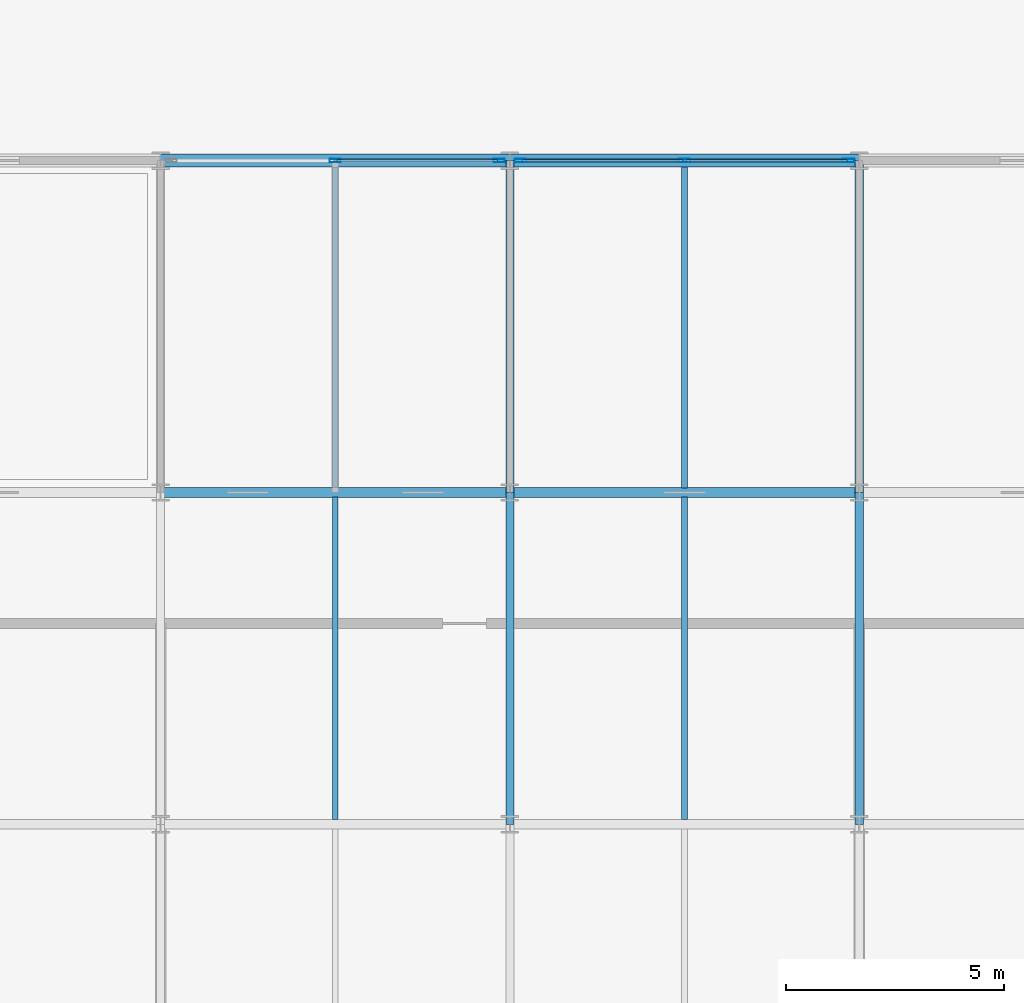
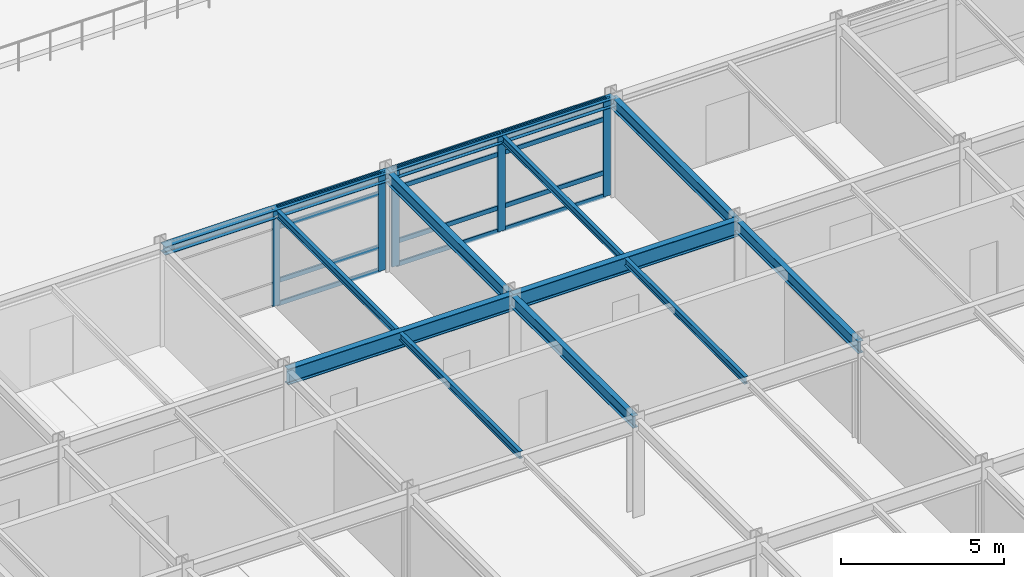
# One storey, part 10 of 46: 17 members, 12 beams, 2 elements without a shape of their own.
"""IFC4 building model written with IfcOpenShell, lengths in metres."""

from ifc_helpers import new_model, si_unit, direction, frame, origin, origin_2d, place, context, subcontext, project, spatial, hollow_rectangle, i_section, extrude, material, layer, layer_set, material_profile, profile_set, type_object, element, aggregate, save


model = new_model("IFC4")

# Units and contexts
model_context = context("Model", 3, precision=1e-05, world=origin(), true_north=direction((0.0, 1.0)))
body_context = subcontext(model_context, "Body", "Model", "MODEL_VIEW")
ifc_project = project(units=[si_unit("LENGTHUNIT", "METRE"), si_unit("AREAUNIT", "SQUARE_METRE"), si_unit("VOLUMEUNIT", "CUBIC_METRE"), si_unit("PLANEANGLEUNIT", "RADIAN"), si_unit("MASSUNIT", "GRAM", prefix="KILO")], contexts=[model_context])

# Site, building, storey
site_placement = place(None, origin())
site = spatial("IfcSite", under=ifc_project, at=site_placement, CompositionType="ELEMENT")
building_placement = place(site_placement, origin())
building = spatial("IfcBuilding", under=site, at=building_placement, Name="Shalkamar Park Central Library", CompositionType="ELEMENT")
storey_placement = place(building_placement, frame((0.0, 0.0, 20.39990234375)))
storey = spatial("IfcBuildingStorey", under=building, at=storey_placement, Name="L05", CompositionType="ELEMENT", Elevation=20.39990234375)

# Beams
ifc_material_1 = material(Name="Steel S355", Category="steel")
ifc_material_profile_1 = material_profile(ifc_material_1, i_section(OverallWidth=0.135009765625, OverallDepth=0.27001953125, WebThickness=0.006591796875, FlangeThickness=0.01025390625, FilletRadius=0.014892578125, at=origin_2d()), Name="IPE 270")
ifc_profile_set_1 = profile_set([ifc_material_profile_1], Name="Steel S355")
beam_type_1 = type_object("IfcBeamType", Name="Composite Floor Joist IPE270", PredefinedType="JOIST", material=ifc_profile_set_1)
beam_1_placement = place(storey_placement, frame((193.0, 278.10791015625, 3.525146484375), z_axis=(0.0, 1.0, 0.0), x_axis=(-1.0, 0.0, 0.0)))
element("IfcBeam", 1, at=beam_1_placement, inside=storey, type_object=beam_type_1, Name="Composite Joist 10/F-1 (L05)", PredefinedType="JOIST", context=body_context, shape_type="SweptSolid", body=[
    extrude(i_section(OverallWidth=0.135009765625, OverallDepth=0.27001953125, WebThickness=0.006591796875, FlangeThickness=0.01025390625, FilletRadius=0.014892578125, at=origin_2d()), origin(), (0.0, 0.0, 1.0), 7.384033203125),
])
beam_2_placement = place(storey_placement, frame((193.0, 285.7080078125, 3.525146484375), z_axis=(0.0, 1.0, 0.0), x_axis=(-1.0, 0.0, 0.0)))
element("IfcBeam", 2, at=beam_2_placement, inside=storey, type_object=beam_type_1, Name="Composite Joist 10/G-1 (L05)", PredefinedType="JOIST", context=body_context, shape_type="SweptSolid", body=[
    extrude(i_section(OverallWidth=0.135009765625, OverallDepth=0.27001953125, WebThickness=0.006591796875, FlangeThickness=0.01025390625, FilletRadius=0.014892578125, at=origin_2d()), origin(), (0.0, 0.0, 1.0), 7.343994140625),
])
beam_3_placement = place(storey_placement, frame((201.0, 278.10791015625, 3.525146484375), z_axis=(0.0, 1.0, 0.0), x_axis=(-1.0, 0.0, 0.0)))
element("IfcBeam", 3, at=beam_3_placement, inside=storey, type_object=beam_type_1, Name="Composite Joist 11/F-1 (L05)", PredefinedType="JOIST", context=body_context, shape_type="SweptSolid", body=[
    extrude(i_section(OverallWidth=0.135009765625, OverallDepth=0.27001953125, WebThickness=0.006591796875, FlangeThickness=0.01025390625, FilletRadius=0.014892578125, at=origin_2d()), origin(), (0.0, 0.0, 1.0), 7.384033203125),
])
beam_4_placement = place(storey_placement, frame((201.0, 285.7080078125, 3.525146484375), z_axis=(0.0, 1.0, 0.0), x_axis=(-1.0, 0.0, 0.0)))
element("IfcBeam", 4, at=beam_4_placement, inside=storey, type_object=beam_type_1, Name="Composite Joist 11/G-1 (L05)", PredefinedType="JOIST", context=body_context, shape_type="SweptSolid", body=[
    extrude(i_section(OverallWidth=0.135009765625, OverallDepth=0.27001953125, WebThickness=0.006591796875, FlangeThickness=0.01025390625, FilletRadius=0.014892578125, at=origin_2d()), origin(), (0.0, 0.0, 1.0), 7.343994140625),
])

# Curtain wall, members
ifc_material_2 = material(Name="Thermally broken aluminium and triple low-e curtain wall", Category="aluminium")
ifc_layer_1 = layer(ifc_material_2, 0.2548828125)
ifc_layer_set_1 = layer_set([ifc_layer_1], Name="UnitisedCurtainWall_69")
curtain_wall_type_1 = type_object("IfcCurtainWallType", Name="Unitised Curtain Wall 69", PredefinedType="USERDEFINED", material=ifc_layer_set_1)
curtain_wall_1_placement = place(storey_placement, origin())
curtain_wall_1 = element("IfcCurtainWall", 5, at=curtain_wall_1_placement, inside=storey, type_object=curtain_wall_type_1, Name="Unitised Curtain Wall CW-L05-084", ObjectType="UNITISED CURTAIN WALL", PredefinedType="USERDEFINED")
ifc_material_3 = material(Name="Aluminium 6060-T66", Category="aluminium")
ifc_material_profile_2 = material_profile(ifc_material_3, hollow_rectangle(XDim=0.080078125, YDim=0.2548828125, WallThickness=0.00439453125, InnerFilletRadius=0.00439453125, OuterFilletRadius=0.0068359375, at=origin_2d()), Name="ALU 80x255x4.5")
ifc_profile_set_2 = profile_set([ifc_material_profile_2], Name="Aluminium 6060-T66")
member_type_1 = type_object("IfcMemberType", Name="Curtain Wall Mullion ALU80x255", PredefinedType="MULLION", material=ifc_profile_set_2)
member_1_placement = place(storey_placement, frame((193.0, 293.199951171875, 0.0), z_axis=(0.0, 0.0, 1.0), x_axis=(0.0, 1.0, 0.0)))
member_1 = element("IfcMember", 6, at=member_1_placement, type_object=member_type_1, Name="CW-69 mullion 2", PredefinedType="MULLION", context=body_context, shape_type="SweptSolid", body=[
    extrude(hollow_rectangle(XDim=0.080078125, YDim=0.2548828125, WallThickness=0.00439453125, InnerFilletRadius=0.00439453125, OuterFilletRadius=0.0068359375, at=origin_2d()), origin(), (0.0, 0.0, 1.0), 3.66015625),
])
member_2_placement = place(storey_placement, frame((196.755615234375, 293.199951171875, 0.0), z_axis=(0.0, 0.0, 1.0), x_axis=(0.0, 1.0, 0.0)))
member_2 = element("IfcMember", 7, at=member_2_placement, type_object=member_type_1, Name="CW-69 mullion 3", PredefinedType="MULLION", context=body_context, shape_type="SweptSolid", body=[
    extrude(hollow_rectangle(XDim=0.080078125, YDim=0.2548828125, WallThickness=0.00439453125, InnerFilletRadius=0.00439453125, OuterFilletRadius=0.0068359375, at=origin_2d()), origin(), (0.0, 0.0, 1.0), 3.66015625),
])

ifc_layer_2 = layer(ifc_material_2, 0.27001953125)
ifc_layer_set_2 = layer_set([ifc_layer_2], Name="UnitisedCurtainWall_70")
curtain_wall_type_2 = type_object("IfcCurtainWallType", Name="Unitised Curtain Wall 70", PredefinedType="USERDEFINED", material=ifc_layer_set_2)
curtain_wall_2_placement = place(storey_placement, origin())
curtain_wall_2 = element("IfcCurtainWall", 8, at=curtain_wall_2_placement, inside=storey, type_object=curtain_wall_type_2, Name="Unitised Curtain Wall CW-L05-085", ObjectType="UNITISED CURTAIN WALL", PredefinedType="USERDEFINED")
ifc_material_profile_3 = material_profile(ifc_material_3, hollow_rectangle(XDim=0.080078125, YDim=0.27001953125, WallThickness=0.0048828125, InnerFilletRadius=0.0048828125, OuterFilletRadius=0.007568359375, at=origin_2d()), Name="ALU 80x270x5")
ifc_profile_set_3 = profile_set([ifc_material_profile_3], Name="Aluminium 6060-T66")
member_type_2 = type_object("IfcMemberType", Name="Curtain Wall Mullion ALU80x270", PredefinedType="MULLION", material=ifc_profile_set_3)
member_3_placement = place(storey_placement, frame((197.244384765625, 293.199951171875, 0.0), z_axis=(0.0, 0.0, 1.0), x_axis=(0.0, 1.0, 0.0)))
member_3 = element("IfcMember", 9, at=member_3_placement, type_object=member_type_2, Name="CW-70 mullion 1", PredefinedType="MULLION", context=body_context, shape_type="SweptSolid", body=[
    extrude(hollow_rectangle(XDim=0.080078125, YDim=0.27001953125, WallThickness=0.0048828125, InnerFilletRadius=0.0048828125, OuterFilletRadius=0.007568359375, at=origin_2d()), origin(), (0.0, 0.0, 1.0), 3.66015625),
])
member_4_placement = place(storey_placement, frame((201.0, 293.199951171875, 0.0), z_axis=(0.0, 0.0, 1.0), x_axis=(0.0, 1.0, 0.0)))
member_4 = element("IfcMember", 10, at=member_4_placement, type_object=member_type_2, Name="CW-70 mullion 2", PredefinedType="MULLION", context=body_context, shape_type="SweptSolid", body=[
    extrude(hollow_rectangle(XDim=0.080078125, YDim=0.27001953125, WallThickness=0.0048828125, InnerFilletRadius=0.0048828125, OuterFilletRadius=0.007568359375, at=origin_2d()), origin(), (0.0, 0.0, 1.0), 3.66015625),
])
member_5_placement = place(storey_placement, frame((204.755615234375, 293.199951171875, 0.0), z_axis=(0.0, 0.0, 1.0), x_axis=(0.0, 1.0, 0.0)))
member_5 = element("IfcMember", 11, at=member_5_placement, type_object=member_type_2, Name="CW-70 mullion 3", PredefinedType="MULLION", context=body_context, shape_type="SweptSolid", body=[
    extrude(hollow_rectangle(XDim=0.080078125, YDim=0.27001953125, WallThickness=0.0048828125, InnerFilletRadius=0.0048828125, OuterFilletRadius=0.007568359375, at=origin_2d()), origin(), (0.0, 0.0, 1.0), 3.66015625),
])

# Member
ifc_material_profile_4 = material_profile(ifc_material_3, hollow_rectangle(XDim=0.06494140625, YDim=0.169921875, WallThickness=0.00390625, InnerFilletRadius=0.00390625, OuterFilletRadius=0.006103515625, at=origin_2d()), Name="ALU 65x170x4")
ifc_profile_set_4 = profile_set([ifc_material_profile_4], Name="Aluminium 6060-T66")
member_type_3 = type_object("IfcMemberType", Name="Curtain Wall Transom ALU65x170", PredefinedType="USERDEFINED", material=ifc_profile_set_4)
member_6_placement = place(storey_placement, frame((193.0400390625, 293.199951171875, 0.03271484375), z_axis=(1.0, 0.0, 0.0), x_axis=(0.0, 1.0, 0.0)))
member_6 = element("IfcMember", 12, at=member_6_placement, type_object=member_type_3, Name="CW-69 transom 2.1", ObjectType="TRANSOM", PredefinedType="USERDEFINED", context=body_context, shape_type="SweptSolid", body=[
    extrude(hollow_rectangle(XDim=0.06494140625, YDim=0.169921875, WallThickness=0.00390625, InnerFilletRadius=0.00390625, OuterFilletRadius=0.006103515625, at=origin_2d()), origin(), (0.0, 0.0, 1.0), 3.675537109375),
])

member_7_placement = place(storey_placement, frame((193.0400390625, 293.199951171875, 0.900146484375), z_axis=(1.0, 0.0, 0.0), x_axis=(0.0, 1.0, 0.0)))
member_7 = element("IfcMember", 13, at=member_7_placement, type_object=member_type_3, Name="CW-69 transom 2.2", ObjectType="TRANSOM", PredefinedType="USERDEFINED", context=body_context, shape_type="SweptSolid", body=[
    extrude(hollow_rectangle(XDim=0.06494140625, YDim=0.169921875, WallThickness=0.00390625, InnerFilletRadius=0.00390625, OuterFilletRadius=0.006103515625, at=origin_2d()), origin(), (0.0, 0.0, 1.0), 3.675537109375),
])

member_8_placement = place(storey_placement, frame((193.0400390625, 293.199951171875, 2.91015625), z_axis=(1.0, 0.0, 0.0), x_axis=(0.0, 1.0, 0.0)))
member_8 = element("IfcMember", 14, at=member_8_placement, type_object=member_type_3, Name="CW-69 transom 2.3", ObjectType="TRANSOM", PredefinedType="USERDEFINED", context=body_context, shape_type="SweptSolid", body=[
    extrude(hollow_rectangle(XDim=0.06494140625, YDim=0.169921875, WallThickness=0.00390625, InnerFilletRadius=0.00390625, OuterFilletRadius=0.006103515625, at=origin_2d()), origin(), (0.0, 0.0, 1.0), 3.675537109375),
])

member_9_placement = place(storey_placement, frame((193.0400390625, 293.199951171875, 3.627685546875), z_axis=(1.0, 0.0, 0.0), x_axis=(0.0, 1.0, 0.0)))
member_9 = element("IfcMember", 15, at=member_9_placement, type_object=member_type_3, Name="CW-69 transom 2.4", ObjectType="TRANSOM", PredefinedType="USERDEFINED", context=body_context, shape_type="SweptSolid", body=[
    extrude(hollow_rectangle(XDim=0.06494140625, YDim=0.169921875, WallThickness=0.00390625, InnerFilletRadius=0.00390625, OuterFilletRadius=0.006103515625, at=origin_2d()), origin(), (0.0, 0.0, 1.0), 3.675537109375),
])

aggregate(curtain_wall_1, [member_1, member_2, member_6, member_7, member_8, member_9])

ifc_material_profile_5 = material_profile(ifc_material_3, hollow_rectangle(XDim=0.06494140625, YDim=0.175048828125, WallThickness=0.00439453125, InnerFilletRadius=0.00439453125, OuterFilletRadius=0.0068359375, at=origin_2d()), Name="ALU 65x175x4.5")
ifc_profile_set_5 = profile_set([ifc_material_profile_5], Name="Aluminium 6060-T66")
member_type_4 = type_object("IfcMemberType", Name="Curtain Wall Transom ALU65x175", PredefinedType="USERDEFINED", material=ifc_profile_set_5)
member_10_placement = place(storey_placement, frame((197.284423828125, 293.199951171875, 0.03271484375), z_axis=(1.0, 0.0, 0.0), x_axis=(0.0, 1.0, 0.0)))
member_10 = element("IfcMember", 16, at=member_10_placement, type_object=member_type_4, Name="CW-70 transom 1.1", ObjectType="TRANSOM", PredefinedType="USERDEFINED", context=body_context, shape_type="SweptSolid", body=[
    extrude(hollow_rectangle(XDim=0.06494140625, YDim=0.175048828125, WallThickness=0.00439453125, InnerFilletRadius=0.00439453125, OuterFilletRadius=0.0068359375, at=origin_2d()), origin(), (0.0, 0.0, 1.0), 3.675537109375),
])

member_11_placement = place(storey_placement, frame((197.284423828125, 293.199951171875, 0.900146484375), z_axis=(1.0, 0.0, 0.0), x_axis=(0.0, 1.0, 0.0)))
member_11 = element("IfcMember", 17, at=member_11_placement, type_object=member_type_4, Name="CW-70 transom 1.2", ObjectType="TRANSOM", PredefinedType="USERDEFINED", context=body_context, shape_type="SweptSolid", body=[
    extrude(hollow_rectangle(XDim=0.06494140625, YDim=0.175048828125, WallThickness=0.00439453125, InnerFilletRadius=0.00439453125, OuterFilletRadius=0.0068359375, at=origin_2d()), origin(), (0.0, 0.0, 1.0), 3.675537109375),
])

member_12_placement = place(storey_placement, frame((197.284423828125, 293.199951171875, 2.91015625), z_axis=(1.0, 0.0, 0.0), x_axis=(0.0, 1.0, 0.0)))
member_12 = element("IfcMember", 18, at=member_12_placement, type_object=member_type_4, Name="CW-70 transom 1.3", ObjectType="TRANSOM", PredefinedType="USERDEFINED", context=body_context, shape_type="SweptSolid", body=[
    extrude(hollow_rectangle(XDim=0.06494140625, YDim=0.175048828125, WallThickness=0.00439453125, InnerFilletRadius=0.00439453125, OuterFilletRadius=0.0068359375, at=origin_2d()), origin(), (0.0, 0.0, 1.0), 3.675537109375),
])

member_13_placement = place(storey_placement, frame((197.284423828125, 293.199951171875, 3.627685546875), z_axis=(1.0, 0.0, 0.0), x_axis=(0.0, 1.0, 0.0)))
member_13 = element("IfcMember", 19, at=member_13_placement, type_object=member_type_4, Name="CW-70 transom 1.4", ObjectType="TRANSOM", PredefinedType="USERDEFINED", context=body_context, shape_type="SweptSolid", body=[
    extrude(hollow_rectangle(XDim=0.06494140625, YDim=0.175048828125, WallThickness=0.00439453125, InnerFilletRadius=0.00439453125, OuterFilletRadius=0.0068359375, at=origin_2d()), origin(), (0.0, 0.0, 1.0), 3.675537109375),
])

member_14_placement = place(storey_placement, frame((201.0400390625, 293.199951171875, 0.03271484375), z_axis=(1.0, 0.0, 0.0), x_axis=(0.0, 1.0, 0.0)))
member_14 = element("IfcMember", 20, at=member_14_placement, type_object=member_type_4, Name="CW-70 transom 2.1", ObjectType="TRANSOM", PredefinedType="USERDEFINED", context=body_context, shape_type="SweptSolid", body=[
    extrude(hollow_rectangle(XDim=0.06494140625, YDim=0.175048828125, WallThickness=0.00439453125, InnerFilletRadius=0.00439453125, OuterFilletRadius=0.0068359375, at=origin_2d()), origin(), (0.0, 0.0, 1.0), 3.675537109375),
])

member_15_placement = place(storey_placement, frame((201.0400390625, 293.199951171875, 0.900146484375), z_axis=(1.0, 0.0, 0.0), x_axis=(0.0, 1.0, 0.0)))
member_15 = element("IfcMember", 21, at=member_15_placement, type_object=member_type_4, Name="CW-70 transom 2.2", ObjectType="TRANSOM", PredefinedType="USERDEFINED", context=body_context, shape_type="SweptSolid", body=[
    extrude(hollow_rectangle(XDim=0.06494140625, YDim=0.175048828125, WallThickness=0.00439453125, InnerFilletRadius=0.00439453125, OuterFilletRadius=0.0068359375, at=origin_2d()), origin(), (0.0, 0.0, 1.0), 3.675537109375),
])

member_16_placement = place(storey_placement, frame((201.0400390625, 293.199951171875, 2.91015625), z_axis=(1.0, 0.0, 0.0), x_axis=(0.0, 1.0, 0.0)))
member_16 = element("IfcMember", 22, at=member_16_placement, type_object=member_type_4, Name="CW-70 transom 2.3", ObjectType="TRANSOM", PredefinedType="USERDEFINED", context=body_context, shape_type="SweptSolid", body=[
    extrude(hollow_rectangle(XDim=0.06494140625, YDim=0.175048828125, WallThickness=0.00439453125, InnerFilletRadius=0.00439453125, OuterFilletRadius=0.0068359375, at=origin_2d()), origin(), (0.0, 0.0, 1.0), 3.675537109375),
])

member_17_placement = place(storey_placement, frame((201.0400390625, 293.199951171875, 3.627685546875), z_axis=(1.0, 0.0, 0.0), x_axis=(0.0, 1.0, 0.0)))
member_17 = element("IfcMember", 23, at=member_17_placement, type_object=member_type_4, Name="CW-70 transom 2.4", ObjectType="TRANSOM", PredefinedType="USERDEFINED", context=body_context, shape_type="SweptSolid", body=[
    extrude(hollow_rectangle(XDim=0.06494140625, YDim=0.175048828125, WallThickness=0.00439453125, InnerFilletRadius=0.00439453125, OuterFilletRadius=0.0068359375, at=origin_2d()), origin(), (0.0, 0.0, 1.0), 3.675537109375),
])

aggregate(curtain_wall_2, [member_3, member_4, member_5, member_10, member_11, member_12, member_13, member_14, member_15, member_16, member_17])

# Beams
ifc_material_profile_6 = material_profile(ifc_material_1, i_section(OverallWidth=0.300048828125, OverallDepth=0.31005859375, WebThickness=0.009033203125, FlangeThickness=0.015380859375, FilletRadius=0.027099609375, at=origin_2d()), Name="HEA 320")
ifc_profile_set_6 = profile_set([ifc_material_profile_6], Name="Steel S355")
beam_type_2 = type_object("IfcBeamType", Name="Perimeter Spandrel Beam HEA320", PredefinedType="SPANDREL", material=ifc_profile_set_6)
for number, where, z_axis, x_axis, name in (
    (24, (189.0, 293.199951171875, 3.505126953125), (1.0, 0.0, 0.0), (0.0, 1.0, 0.0), "Beam H:10-11 (L05)"),
    (25, (197.0, 293.199951171875, 3.505126953125), (1.0, 0.0, 0.0), (0.0, 1.0, 0.0), "Beam H:11-12 (L05)"),
):
    element("IfcBeam", number, at=place(storey_placement, frame(where, z_axis=z_axis, x_axis=x_axis)), inside=storey, type_object=beam_type_2, Name=name, PredefinedType="SPANDREL", context=body_context, shape_type="SweptSolid", body=[
        extrude(i_section(OverallWidth=0.300048828125, OverallDepth=0.31005859375, WebThickness=0.009033203125, FlangeThickness=0.015380859375, FilletRadius=0.027099609375, at=origin_2d()), origin(), (0.0, 0.0, 1.0), 8.0),
    ])
ifc_material_profile_7 = material_profile(ifc_material_1, i_section(OverallWidth=0.18994140625, OverallDepth=0.449951171875, WebThickness=0.009521484375, FlangeThickness=0.0146484375, FilletRadius=0.02099609375, at=origin_2d()), Name="IPE 450")
ifc_profile_set_7 = profile_set([ifc_material_profile_7], Name="Steel S355")
beam_type_3 = type_object("IfcBeamType", Name="Primary Girder IPE450", PredefinedType="BEAM", material=ifc_profile_set_7)
beam_5_placement = place(storey_placement, frame((197.0, 278.0, 3.43505859375), z_axis=(0.0, 1.0, 0.0), x_axis=(-1.0, 0.0, 0.0)))
element("IfcBeam", 26, at=beam_5_placement, inside=storey, type_object=beam_type_3, Name="Beam 11:F-G (L05)", PredefinedType="BEAM", context=body_context, shape_type="SweptSolid", body=[
    extrude(i_section(OverallWidth=0.18994140625, OverallDepth=0.449951171875, WebThickness=0.009521484375, FlangeThickness=0.0146484375, FilletRadius=0.02099609375, at=origin_2d()), origin(), (0.0, 0.0, 1.0), 7.60009765625),
])
beam_6_placement = place(storey_placement, frame((197.0, 285.60009765625, 3.43505859375), z_axis=(0.0, 1.0, 0.0), x_axis=(-1.0, 0.0, 0.0)))
element("IfcBeam", 27, at=beam_6_placement, inside=storey, type_object=beam_type_3, Name="Beam 11:G-H (L05)", PredefinedType="BEAM", context=body_context, shape_type="SweptSolid", body=[
    extrude(i_section(OverallWidth=0.18994140625, OverallDepth=0.449951171875, WebThickness=0.009521484375, FlangeThickness=0.0146484375, FilletRadius=0.02099609375, at=origin_2d()), origin(), (0.0, 0.0, 1.0), 7.599853515625),
])
beam_7_placement = place(storey_placement, frame((205.0, 278.0, 3.43505859375), z_axis=(0.0, 1.0, 0.0), x_axis=(-1.0, 0.0, 0.0)))
element("IfcBeam", 28, at=beam_7_placement, inside=storey, type_object=beam_type_3, Name="Beam 12:F-G (L05)", PredefinedType="BEAM", context=body_context, shape_type="SweptSolid", body=[
    extrude(i_section(OverallWidth=0.18994140625, OverallDepth=0.449951171875, WebThickness=0.009521484375, FlangeThickness=0.0146484375, FilletRadius=0.02099609375, at=origin_2d()), origin(), (0.0, 0.0, 1.0), 7.60009765625),
])
beam_8_placement = place(storey_placement, frame((205.0, 285.60009765625, 3.43505859375), z_axis=(0.0, 1.0, 0.0), x_axis=(-1.0, 0.0, 0.0)))
element("IfcBeam", 29, at=beam_8_placement, inside=storey, type_object=beam_type_3, Name="Beam 12:G-H (L05)", PredefinedType="BEAM", context=body_context, shape_type="SweptSolid", body=[
    extrude(i_section(OverallWidth=0.18994140625, OverallDepth=0.449951171875, WebThickness=0.009521484375, FlangeThickness=0.0146484375, FilletRadius=0.02099609375, at=origin_2d()), origin(), (0.0, 0.0, 1.0), 7.599853515625),
])
ifc_material_profile_8 = material_profile(ifc_material_1, i_section(OverallWidth=0.219970703125, OverallDepth=0.60009765625, WebThickness=0.011962890625, FlangeThickness=0.01904296875, FilletRadius=0.02392578125, at=origin_2d()), Name="IPE 600")
ifc_profile_set_8 = profile_set([ifc_material_profile_8], Name="Steel S355")
beam_type_4 = type_object("IfcBeamType", Name="Primary Girder IPE600", PredefinedType="BEAM", material=ifc_profile_set_8)
for number, where, z_axis, x_axis, name in (
    (30, (189.0, 285.60009765625, 3.360107421875), (1.0, 0.0, 0.0), (0.0, 1.0, 0.0), "Beam G:10-11 (L05)"),
    (31, (197.0, 285.60009765625, 3.360107421875), (1.0, 0.0, 0.0), (0.0, 1.0, 0.0), "Beam G:11-12 (L05)"),
):
    element("IfcBeam", number, at=place(storey_placement, frame(where, z_axis=z_axis, x_axis=x_axis)), inside=storey, type_object=beam_type_4, Name=name, PredefinedType="BEAM", context=body_context, shape_type="SweptSolid", body=[
        extrude(i_section(OverallWidth=0.219970703125, OverallDepth=0.60009765625, WebThickness=0.011962890625, FlangeThickness=0.01904296875, FilletRadius=0.02392578125, at=origin_2d()), origin(), (0.0, 0.0, 1.0), 8.0),
    ])

save(model, "model.ifc")
